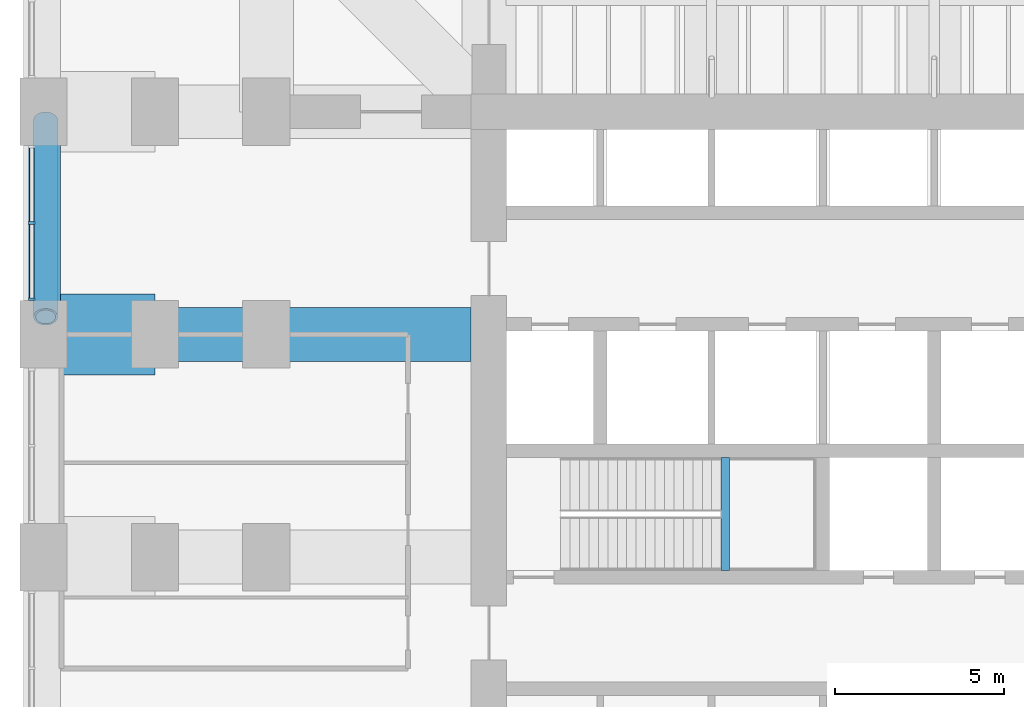
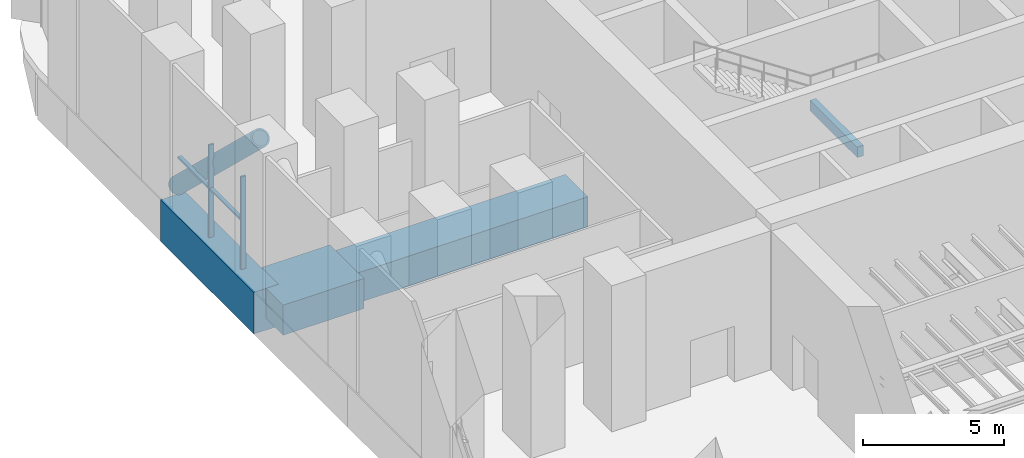
# One storey, part 4 of 17: 5 members, 4 beams, 1 element without a shape of its own.
"""IFC4 building model written with IfcOpenShell, lengths in metres."""

from ifc_helpers import new_model, si_unit, direction, frame, origin, origin_2d, place, context, subcontext, project, spatial, rectangle, hollow_circle, extrude, material, material_profile, profile_set, type_object, element, aggregate, save


model = new_model("IFC4")

# Units and contexts
model_context = context("Model", 3, precision=1e-05, world=origin(), true_north=direction((0.0, 1.0)))
body_context = subcontext(model_context, "Body", "Model", "MODEL_VIEW")
ifc_project = project(units=[si_unit("LENGTHUNIT", "METRE"), si_unit("AREAUNIT", "SQUARE_METRE"), si_unit("VOLUMEUNIT", "CUBIC_METRE"), si_unit("PLANEANGLEUNIT", "RADIAN"), si_unit("MASSUNIT", "GRAM", prefix="KILO")], contexts=[model_context])

# Site, building, storey
site_placement = place(None, origin())
site = spatial("IfcSite", under=ifc_project, at=site_placement, CompositionType="ELEMENT")
building_placement = place(site_placement, origin())
building = spatial("IfcBuilding", under=site, at=building_placement, Name="Cobogo Forest Laboratory Tower", CompositionType="ELEMENT")
storey_placement = place(building_placement, frame((0.0, 0.0, 75.89990234375)))
storey = spatial("IfcBuildingStorey", under=building, at=storey_placement, Name="L17", CompositionType="ELEMENT", Elevation=75.89990234375)

# Member
ifc_material_1 = material(Name="Steel S460NH", Category="steel")
ifc_material_profile_1 = material_profile(ifc_material_1, hollow_circle(Radius=0.35546875, WallThickness=0.06005859375, at=origin_2d()), Name="CHS 711x60")
ifc_profile_set_1 = profile_set([ifc_material_profile_1], Name="Steel S460NH")
member_type_1 = type_object("IfcMemberType", Name="Belt truss diagonal CHS 711x60", PredefinedType="BRACE", material=ifc_profile_set_1)
member_1_placement = place(storey_placement, frame((0.06005859375, 32.75, 0.23876953125), z_axis=(0.0, -0.723363796511, 0.690467101242), x_axis=(1.0, 0.0, 0.0)))
element("IfcMember", 1, at=member_1_placement, inside=storey, type_object=member_type_1, Name="BT1 belt truss diagonal W23 L17", PredefinedType="BRACE", context=body_context, shape_type="SweptSolid", body=[
    extrude(hollow_circle(Radius=0.35546875, WallThickness=0.06005859375, at=origin_2d()), origin(), (0.0, 0.0, 1.0), 8.0595703125),
])

# Beam
ifc_material_2 = material(Name="Concrete HA-40 (C40/50)", Category="concrete")
ifc_material_profile_2 = material_profile(ifc_material_2, rectangle(XDim=0.25, YDim=0.449951171875, at=origin_2d()), Name="RC 250x450")
ifc_profile_set_2 = profile_set([ifc_material_profile_2], Name="Concrete HA-40 (C40/50)")
beam_type_1 = type_object("IfcBeamType", Name="LB1 landing beam 250x450", PredefinedType="BEAM", material=ifc_profile_set_2)
beam_1_placement = place(storey_placement, frame((20.2099609375, 19.39990234375, 2.72509765625), z_axis=(0.0, 1.0, 0.0), x_axis=(-1.0, 0.0, 0.0)))
element("IfcBeam", 2, at=beam_1_placement, inside=storey, type_object=beam_type_1, Name="Landing beam ST1 L17", PredefinedType="BEAM", context=body_context, shape_type="SweptSolid", body=[
    extrude(rectangle(XDim=0.25, YDim=0.449951171875, at=origin_2d()), origin(), (0.0, 0.0, 1.0), 3.35009765625),
])

# Curtain wall, members
ifc_material_3 = material(Name="Aluminium curtain wall", Category="aluminium")
curtain_wall_type = type_object("IfcCurtainWallType", Name="CW-P louvred curtain wall, plant floors", PredefinedType="USERDEFINED", material=ifc_material_3)
curtain_wall_placement = place(storey_placement, origin())
curtain_wall = element("IfcCurtainWall", 3, at=curtain_wall_placement, inside=storey, type_object=curtain_wall_type, Name="Curtain wall 28 L17", ObjectType="LOUVRED CURTAIN WALL", PredefinedType="USERDEFINED")
ifc_material_4 = material(Name="Aluminium mullion", Category="aluminium")
ifc_material_profile_3 = material_profile(ifc_material_4, rectangle(XDim=0.080078125, YDim=0.199951171875, at=origin_2d()), Name="AL 80x200")
ifc_profile_set_3 = profile_set([ifc_material_profile_3], Name="Aluminium mullion")
member_type_2 = type_object("IfcMemberType", Name="MU-3 aluminium louvre mullion 80x200", PredefinedType="MULLION", material=ifc_profile_set_3)
member_2_placement = place(storey_placement, frame((-0.35009765625, 29.699951171875, 0.0), z_axis=(0.0, 0.0, 1.0), x_axis=(0.0, -1.0, 0.0)))
member_2 = element("IfcMember", 4, at=member_2_placement, type_object=member_type_2, Name="CW-P mullion 2", PredefinedType="MULLION", context=body_context, shape_type="SweptSolid", body=[
    extrude(rectangle(XDim=0.080078125, YDim=0.199951171875, at=origin_2d()), origin(), (0.0, 0.0, 1.0), 4.0),
])
member_3_placement = place(storey_placement, frame((-0.35009765625, 27.43994140625, 0.0), z_axis=(0.0, 0.0, 1.0), x_axis=(0.0, -1.0, 0.0)))
member_3 = element("IfcMember", 5, at=member_3_placement, type_object=member_type_2, Name="CW-P mullion 3", PredefinedType="MULLION", context=body_context, shape_type="SweptSolid", body=[
    extrude(rectangle(XDim=0.080078125, YDim=0.199951171875, at=origin_2d()), origin(), (0.0, 0.0, 1.0), 4.0),
])

# Beams
ifc_material_profile_4 = material_profile(ifc_material_2, rectangle(XDim=1.60009765625, YDim=1.300048828125, at=origin_2d()), Name="RC 1600x1300")
ifc_profile_set_4 = profile_set([ifc_material_profile_4], Name="Concrete HA-40 (C40/50)")
beam_type_2 = type_object("IfcBeamType", Name="Plant and roof garden wide beam 1600x1300", PredefinedType="BEAM", material=ifc_profile_set_4)
beam_2_placement = place(storey_placement, frame((12.675048828125, 26.39990234375, -1.0), z_axis=(-1.0, 0.0, 0.0), x_axis=(0.0, -1.0, 0.0)))
element("IfcBeam", 6, at=beam_2_placement, inside=storey, type_object=beam_type_2, Name="RB4 R-E-W L17", PredefinedType="BEAM", context=body_context, shape_type="SweptSolid", body=[
    extrude(rectangle(XDim=1.60009765625, YDim=1.300048828125, at=origin_2d()), origin(), (0.0, 0.0, 1.0), 9.375),
])
ifc_material_5 = material(Name="Concrete HA-50 (C50/60)", Category="concrete")
ifc_material_profile_5 = material_profile(ifc_material_5, rectangle(XDim=2.39990234375, YDim=1.300048828125, at=origin_2d()), Name="RC 2400x1300")
ifc_profile_set_5 = profile_set([ifc_material_profile_5], Name="Concrete HA-50 (C50/60)")
beam_type_3 = type_object("IfcBeamType", Name="Plant floor end-bay beam 2400x1300", PredefinedType="BEAM", material=ifc_profile_set_5)
beam_3_placement = place(storey_placement, frame((0.0, 26.39990234375, -1.0), z_axis=(1.0, 0.0, 0.0), x_axis=(0.0, 1.0, 0.0)))
element("IfcBeam", 7, at=beam_3_placement, inside=storey, type_object=beam_type_3, Name="RB6 R-E-W-X L17", PredefinedType="BEAM", context=body_context, shape_type="SweptSolid", body=[
    extrude(rectangle(XDim=2.39990234375, YDim=1.300048828125, at=origin_2d()), origin(), (0.0, 0.0, 1.0), 3.300048828125),
])
ifc_material_profile_6 = material_profile(ifc_material_2, rectangle(XDim=1.0, YDim=1.800048828125, at=origin_2d()), Name="RC 1000x1800")
ifc_profile_set_6 = profile_set([ifc_material_profile_6], Name="Concrete HA-40 (C40/50)")
beam_type_4 = type_object("IfcBeamType", Name="Plant floor perimeter girder 1000x1800", PredefinedType="BEAM", material=ifc_profile_set_6)
beam_4_placement = place(storey_placement, frame((0.0, 26.39990234375, -1.25), z_axis=(0.0, 1.0, 0.0), x_axis=(-1.0, 0.0, 0.0)))
element("IfcBeam", 8, at=beam_4_placement, inside=storey, type_object=beam_type_4, Name="TG1 E-W4 L17", PredefinedType="BEAM", context=body_context, shape_type="SweptSolid", body=[
    extrude(rectangle(XDim=1.0, YDim=1.800048828125, at=origin_2d()), origin(), (0.0, 0.0, 1.0), 6.60009765625),
])

# Member
ifc_material_6 = material(Name="Aluminium transom", Category="aluminium")
ifc_material_profile_7 = material_profile(ifc_material_6, rectangle(XDim=0.14990234375, YDim=0.080078125, at=origin_2d()), Name="AL 80x150")
ifc_profile_set_7 = profile_set([ifc_material_profile_7], Name="Aluminium transom")
member_type_3 = type_object("IfcMemberType", Name="TR-2 aluminium louvre transom 80x150", PredefinedType="USERDEFINED", material=ifc_profile_set_7)
member_4_placement = place(storey_placement, frame((-0.35009765625, 31.919921875, 2.10009765625), z_axis=(0.0, -1.0, 0.0), x_axis=(1.0, 0.0, 0.0)))
member_4 = element("IfcMember", 9, at=member_4_placement, type_object=member_type_3, Name="CW-P transom 1.1", ObjectType="TRANSOM", PredefinedType="USERDEFINED", context=body_context, shape_type="SweptSolid", body=[
    extrude(rectangle(XDim=0.14990234375, YDim=0.080078125, at=origin_2d()), origin(), (0.0, 0.0, 1.0), 2.179931640625),
])

member_5_placement = place(storey_placement, frame((-0.35009765625, 29.659912109375, 2.10009765625), z_axis=(0.0, -1.0, 0.0), x_axis=(1.0, 0.0, 0.0)))
member_5 = element("IfcMember", 10, at=member_5_placement, type_object=member_type_3, Name="CW-P transom 2.1", ObjectType="TRANSOM", PredefinedType="USERDEFINED", context=body_context, shape_type="SweptSolid", body=[
    extrude(rectangle(XDim=0.14990234375, YDim=0.080078125, at=origin_2d()), origin(), (0.0, 0.0, 1.0), 2.179931640625),
])

aggregate(curtain_wall, [member_2, member_3, member_4, member_5])

save(model, "model.ifc")
